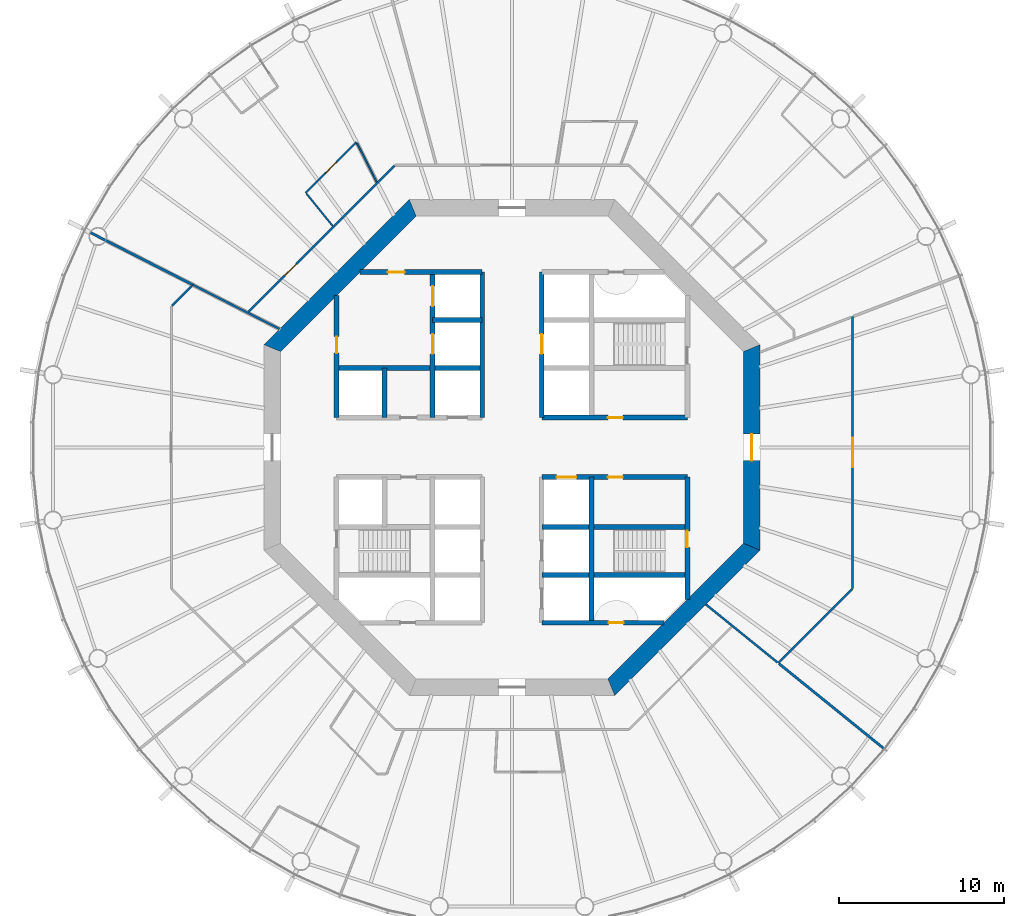
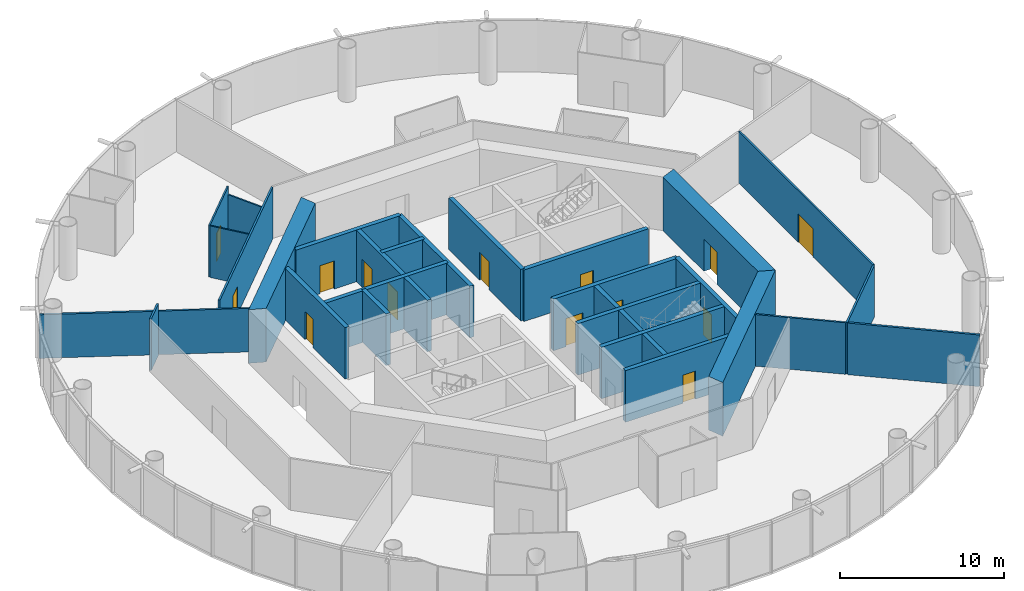
# One storey, part 4 of 12: 29 walls, 14 doors, 14 openings.
"""IFC4 building model written with IfcOpenShell, lengths in metres."""

from ifc_helpers import new_model, si_unit, direction, frame, frame_2d, origin, place, context, subcontext, project, spatial, polyline, rectangle, outline, extrude, material, layer, layer_set, type_object, element, fill, save


model = new_model("IFC4")

# Units and contexts
model_context = context("Model", 3, precision=1e-05, world=origin(), true_north=direction((0.0, 1.0)))
body_context = subcontext(model_context, "Body", "Model", "MODEL_VIEW")
ifc_project = project(units=[si_unit("LENGTHUNIT", "METRE"), si_unit("AREAUNIT", "SQUARE_METRE"), si_unit("VOLUMEUNIT", "CUBIC_METRE"), si_unit("PLANEANGLEUNIT", "RADIAN"), si_unit("MASSUNIT", "GRAM", prefix="KILO")], contexts=[model_context])

# Site, building, storey
site_placement = place(None, origin())
site = spatial("IfcSite", under=ifc_project, at=site_placement, CompositionType="ELEMENT")
building_placement = place(site_placement, origin())
building = spatial("IfcBuilding", under=site, at=building_placement, Name="Entoto Ring Tower", CompositionType="ELEMENT")
storey_placement = place(building_placement, frame((0.0, 0.0, 196.0)))
storey = spatial("IfcBuildingStorey", under=building, at=storey_placement, Name="L45", CompositionType="ELEMENT", Elevation=196.0)

# Wall, opening, door
ifc_material_1 = material(Name="Concrete C40/50", Category="concrete")
ifc_layer_1 = layer(ifc_material_1, 0.300048828125)
ifc_layer_set_1 = layer_set([ifc_layer_1], Name="Concrete C40/50")
wall_type_1 = type_object("IfcWallType", Name="Core enclosure wall 300 mm reinforced concrete", PredefinedType="SOLIDWALL", material=ifc_layer_set_1)
wall_1_placement = place(storey_placement, frame((100.60009765625, 70.801025390625, 0.0), z_axis=(0.0, 0.0, 1.0), x_axis=(0.0, 1.0, 0.0)))
wall_1 = element("IfcWall", 1, at=wall_1_placement, inside=storey, type_object=wall_type_1, Name="wall-L45-001", PredefinedType="SOLIDWALL", context=body_context, shape_type="SweptSolid", body=[
    extrude(rectangle(XDim=7.39892578125, YDim=0.300048828125, at=frame_2d((3.699462890625, 0.0))), origin(), (0.0, 0.0, 1.0), 3.85009765625),
])
opening_1_placement = place(wall_1_placement, frame((3.14892578125, 0.0, 0.0)))
opening_1 = element("IfcOpeningElement", 2, at=opening_1_placement, cuts=wall_1, Name="Opening K-17", PredefinedType="OPENING", context=body_context, shape_type="SweptSolid", body=[
    extrude(rectangle(XDim=1.0, YDim=2.10009765625, at=frame_2d((0.5, 1.050048828125))), frame((0.0, 0.16015625, 0.0), z_axis=(0.0, -1.0, 0.0), x_axis=(1.0, 0.0, 0.0)), (0.0, 0.0, 1.0), 0.320068359375),
])
ifc_material_2 = material(Name="Steel door leaf, fire rated", Category="steel")
ifc_layer_2 = layer(ifc_material_2, 0.050048828125)
ifc_layer_set_2 = layer_set([ifc_layer_2], Name="Steel door leaf, fire rated")
door_type_1 = type_object("IfcDoorType", Name="Fire door FD60 1000 x 2100 single leaf", OperationType="NOTDEFINED", PredefinedType="DOOR", material=ifc_layer_set_2)
door_1_placement = place(opening_1_placement, origin())
door_1 = element("IfcDoor", 3, at=door_1_placement, inside=storey, type_object=door_type_1, Name="Door K-17", OperationType="SINGLE_SWING_RIGHT", OverallHeight=2.10009765625, OverallWidth=1.0, PredefinedType="DOOR", context=body_context, shape_type="SweptSolid", body=[
    extrude(rectangle(XDim=1.0, YDim=2.10009765625, at=frame_2d((0.5, 1.050048828125))), frame((0.0, 0.02490234375, 0.0), z_axis=(0.0, -1.0, 0.0), x_axis=(1.0, 0.0, 0.0)), (0.0, 0.0, 1.0), 0.050048828125),
])
fill(opening_1, door_1)

# Wall
wall_2_placement = place(storey_placement, frame((94.800048828125, 69.39990234375, 0.0), z_axis=(0.0, 0.0, 1.0), x_axis=(0.0, 1.0, 0.0)))
element("IfcWall", 4, at=wall_2_placement, inside=storey, type_object=wall_type_1, Name="wall-L45-003", PredefinedType="SOLIDWALL", context=body_context, shape_type="SweptSolid", body=[
    extrude(rectangle(XDim=8.800048828125, YDim=0.300048828125, at=frame_2d((4.39990234375, 0.0))), origin(), (0.0, 0.0, 1.0), 3.85009765625),
])

# Wall, opening, door
wall_3_placement = place(storey_placement, frame((91.800048828125, 81.800048828125, 0.0), z_axis=(0.0, 0.0, 1.0), x_axis=(0.0, 1.0, 0.0)))
wall_3 = element("IfcWall", 5, at=wall_3_placement, inside=storey, type_object=wall_type_1, Name="wall-L45-006", PredefinedType="SOLIDWALL", context=body_context, shape_type="SweptSolid", body=[
    extrude(rectangle(XDim=8.800048828125, YDim=0.300048828125, at=frame_2d((4.39990234375, 0.0))), origin(), (0.0, 0.0, 1.0), 3.85009765625),
])
opening_2_placement = place(wall_3_placement, frame((3.85009765625, 0.0, 0.0)))
opening_2 = element("IfcOpeningElement", 6, at=opening_2_placement, cuts=wall_3, Name="Opening LD", PredefinedType="OPENING", context=body_context, shape_type="SweptSolid", body=[
    extrude(rectangle(XDim=1.199951171875, YDim=2.10009765625, at=frame_2d((0.60009765625, 1.050048828125))), frame((0.0, 0.16015625, 0.0), z_axis=(0.0, -1.0, 0.0), x_axis=(1.0, 0.0, 0.0)), (0.0, 0.0, 1.0), 0.320068359375),
])
ifc_material_3 = material(Name="Steel and glass door leaf", Category="steel")
ifc_layer_3 = layer(ifc_material_3, 0.050048828125)
ifc_layer_set_3 = layer_set([ifc_layer_3], Name="Steel and glass door leaf")
door_type_2 = type_object("IfcDoorType", Name="Landing door 1200 x 2100 sliding", OperationType="DOUBLE_DOOR_SLIDING", PredefinedType="DOOR", material=ifc_layer_set_3)
door_2_placement = place(opening_2_placement, origin())
door_2 = element("IfcDoor", 7, at=door_2_placement, inside=storey, type_object=door_type_2, Name="Landing door LB1-MR", OperationType="SLIDING_TO_RIGHT", OverallHeight=2.10009765625, OverallWidth=1.199951171875, PredefinedType="DOOR", context=body_context, shape_type="SweptSolid", body=[
    extrude(rectangle(XDim=1.199951171875, YDim=2.10009765625, at=frame_2d((0.60009765625, 1.050048828125))), frame((0.0, 0.02490234375, 0.0), z_axis=(0.0, -1.0, 0.0), x_axis=(1.0, 0.0, 0.0)), (0.0, 0.0, 1.0), 0.050048828125),
])
fill(opening_2, door_2)

# Wall
wall_4_placement = place(storey_placement, frame((88.199951171875, 81.800048828125, 0.0), z_axis=(0.0, 0.0, 1.0), x_axis=(0.0, 1.0, 0.0)))
element("IfcWall", 8, at=wall_4_placement, inside=storey, type_object=wall_type_1, Name="wall-L45-008", PredefinedType="SOLIDWALL", context=body_context, shape_type="SweptSolid", body=[
    extrude(rectangle(XDim=8.800048828125, YDim=0.300048828125, at=frame_2d((4.39990234375, 0.0))), origin(), (0.0, 0.0, 1.0), 3.85009765625),
])

# Wall, openings, doors
wall_5_placement = place(storey_placement, frame((85.199951171875, 81.800048828125, 0.0), z_axis=(0.0, 0.0, 1.0), x_axis=(0.0, 1.0, 0.0)))
wall_5 = element("IfcWall", 9, at=wall_5_placement, inside=storey, type_object=wall_type_1, Name="wall-L45-010", PredefinedType="SOLIDWALL", context=body_context, shape_type="SweptSolid", body=[
    extrude(rectangle(XDim=8.800048828125, YDim=0.300048828125, at=frame_2d((4.39990234375, 0.0))), origin(), (0.0, 0.0, 1.0), 3.85009765625),
])
opening_3_placement = place(wall_5_placement, frame((3.85009765625, 0.0, 0.0)))
opening_3 = element("IfcOpeningElement", 10, at=opening_3_placement, cuts=wall_5, Name="Opening LD", PredefinedType="OPENING", context=body_context, shape_type="SweptSolid", body=[
    extrude(rectangle(XDim=1.199951171875, YDim=2.10009765625, at=frame_2d((0.60009765625, 1.050048828125))), frame((0.0, 0.16015625, 0.0), z_axis=(0.0, -1.0, 0.0), x_axis=(1.0, 0.0, 0.0)), (0.0, 0.0, 1.0), 0.320068359375),
])
opening_4_placement = place(wall_5_placement, frame((6.75, 0.0, 0.0)))
opening_4 = element("IfcOpeningElement", 11, at=opening_4_placement, cuts=wall_5, Name="Opening LD", PredefinedType="OPENING", context=body_context, shape_type="SweptSolid", body=[
    extrude(rectangle(XDim=1.199951171875, YDim=2.10009765625, at=frame_2d((0.60009765625, 1.050048828125))), frame((0.0, 0.16015625, 0.0), z_axis=(0.0, -1.0, 0.0), x_axis=(1.0, 0.0, 0.0)), (0.0, 0.0, 1.0), 0.320068359375),
])
door_3_placement = place(opening_3_placement, origin())
door_3 = element("IfcDoor", 12, at=door_3_placement, inside=storey, type_object=door_type_2, Name="Landing door FF1", OperationType="SLIDING_TO_RIGHT", OverallHeight=2.10009765625, OverallWidth=1.199951171875, PredefinedType="DOOR", context=body_context, shape_type="SweptSolid", body=[
    extrude(rectangle(XDim=1.199951171875, YDim=2.10009765625, at=frame_2d((0.60009765625, 1.050048828125))), frame((0.0, 0.02490234375, 0.0), z_axis=(0.0, -1.0, 0.0), x_axis=(1.0, 0.0, 0.0)), (0.0, 0.0, 1.0), 0.050048828125),
])
fill(opening_3, door_3)
door_4_placement = place(opening_4_placement, origin())
door_4 = element("IfcDoor", 13, at=door_4_placement, inside=storey, type_object=door_type_2, Name="Landing door FF2", OperationType="SLIDING_TO_RIGHT", OverallHeight=2.10009765625, OverallWidth=1.199951171875, PredefinedType="DOOR", context=body_context, shape_type="SweptSolid", body=[
    extrude(rectangle(XDim=1.199951171875, YDim=2.10009765625, at=frame_2d((0.60009765625, 1.050048828125))), frame((0.0, 0.02490234375, 0.0), z_axis=(0.0, -1.0, 0.0), x_axis=(1.0, 0.0, 0.0)), (0.0, 0.0, 1.0), 0.050048828125),
])
fill(opening_4, door_4)

# Wall
wall_6_placement = place(storey_placement, frame((82.300048828125, 81.800048828125, 0.0), z_axis=(0.0, 0.0, 1.0), x_axis=(0.0, 1.0, 0.0)))
element("IfcWall", 14, at=wall_6_placement, inside=storey, type_object=wall_type_1, Name="wall-L45-012", PredefinedType="SOLIDWALL", context=body_context, shape_type="SweptSolid", body=[
    extrude(rectangle(XDim=3.0, YDim=0.300048828125, at=frame_2d((1.5, 0.0))), origin(), (0.0, 0.0, 1.0), 3.85009765625),
])

# Wall, opening, door
wall_7_placement = place(storey_placement, frame((79.39990234375, 81.800048828125, 0.0), z_axis=(0.0, 0.0, 1.0), x_axis=(0.0, 1.0, 0.0)))
wall_7 = element("IfcWall", 15, at=wall_7_placement, inside=storey, type_object=wall_type_1, Name="wall-L45-014", PredefinedType="SOLIDWALL", context=body_context, shape_type="SweptSolid", body=[
    extrude(rectangle(XDim=7.39892578125, YDim=0.300048828125, at=frame_2d((3.699462890625, 0.0))), origin(), (0.0, 0.0, 1.0), 3.85009765625),
])
opening_5_placement = place(wall_7_placement, frame((3.89990234375, 0.0, 0.0)))
opening_5 = element("IfcOpeningElement", 16, at=opening_5_placement, cuts=wall_7, Name="Opening K-67", PredefinedType="OPENING", context=body_context, shape_type="SweptSolid", body=[
    extrude(rectangle(XDim=1.0, YDim=2.10009765625, at=frame_2d((0.5, 1.050048828125))), frame((0.0, 0.16015625, 0.0), z_axis=(0.0, -1.0, 0.0), x_axis=(1.0, 0.0, 0.0)), (0.0, 0.0, 1.0), 0.320068359375),
])
door_5_placement = place(opening_5_placement, frame((1.0, 0.0, 0.0), z_axis=(0.0, 0.0, 1.0), x_axis=(-1.0, 0.0, 0.0)))
door_5 = element("IfcDoor", 17, at=door_5_placement, inside=storey, type_object=door_type_1, Name="Door K-67", OperationType="SINGLE_SWING_RIGHT", OverallHeight=2.10009765625, OverallWidth=1.0, PredefinedType="DOOR", context=body_context, shape_type="SweptSolid", body=[
    extrude(rectangle(XDim=1.0, YDim=2.10009765625, at=frame_2d((0.5, 1.050048828125))), frame((0.0, 0.02490234375, 0.0), z_axis=(0.0, -1.0, 0.0), x_axis=(1.0, 0.0, 0.0)), (0.0, 0.0, 1.0), 0.050048828125),
])
fill(opening_5, door_5)

wall_8_placement = place(storey_placement, frame((91.800048828125, 69.39990234375, 0.0), z_axis=(0.0, 0.0, 1.0), x_axis=(1.0, 0.0, 0.0)))
wall_8 = element("IfcWall", 18, at=wall_8_placement, inside=storey, type_object=wall_type_1, Name="wall-L45-016", PredefinedType="SOLIDWALL", context=body_context, shape_type="SweptSolid", body=[
    extrude(rectangle(XDim=7.39892578125, YDim=0.300048828125, at=frame_2d((3.699462890625, 0.0))), origin(), (0.0, 0.0, 1.0), 3.85009765625),
])
opening_6_placement = place(wall_8_placement, frame((4.050048828125, 0.0, 0.0)))
opening_6 = element("IfcOpeningElement", 19, at=opening_6_placement, cuts=wall_8, Name="Opening K-20", PredefinedType="OPENING", context=body_context, shape_type="SweptSolid", body=[
    extrude(rectangle(XDim=0.89990234375, YDim=2.10009765625, at=frame_2d((0.449951171875, 1.050048828125))), frame((0.0, 0.16015625, 0.0), z_axis=(0.0, -1.0, 0.0), x_axis=(1.0, 0.0, 0.0)), (0.0, 0.0, 1.0), 0.320068359375),
])
ifc_material_4 = material(Name="Steel door leaf, fire rated", Category="steel")
ifc_layer_4 = layer(ifc_material_4, 0.050048828125)
ifc_layer_set_4 = layer_set([ifc_layer_4], Name="Steel door leaf, fire rated")
door_type_3 = type_object("IfcDoorType", Name="Riser door FD60 900 x 2100 single leaf", OperationType="NOTDEFINED", PredefinedType="DOOR", material=ifc_layer_set_4)
door_6_placement = place(opening_6_placement, origin())
door_6 = element("IfcDoor", 20, at=door_6_placement, inside=storey, type_object=door_type_3, Name="Door K-20", OperationType="SINGLE_SWING_LEFT", OverallHeight=2.10009765625, OverallWidth=0.89990234375, PredefinedType="DOOR", context=body_context, shape_type="SweptSolid", body=[
    extrude(rectangle(XDim=0.89990234375, YDim=2.10009765625, at=frame_2d((0.449951171875, 1.050048828125))), frame((0.0, 0.02490234375, 0.0), z_axis=(0.0, -1.0, 0.0), x_axis=(1.0, 0.0, 0.0)), (0.0, 0.0, 1.0), 0.050048828125),
])
fill(opening_6, door_6)

# Walls
for number, where, z_axis, x_axis, name in (
    (21, (91.800048828125, 72.300048828125, 0.0), (0.0, 0.0, 1.0), (1.0, 0.0, 0.0), "wall-L45-018"),
    (22, (91.800048828125, 75.199951171875, 0.0), (0.0, 0.0, 1.0), (1.0, 0.0, 0.0), "wall-L45-020"),
):
    element("IfcWall", number, at=place(storey_placement, frame(where, z_axis=z_axis, x_axis=x_axis)), inside=storey, type_object=wall_type_1, Name=name, PredefinedType="SOLIDWALL", context=body_context, shape_type="SweptSolid", body=[
        extrude(rectangle(XDim=8.800048828125, YDim=0.300048828125, at=frame_2d((4.39990234375, 0.0))), origin(), (0.0, 0.0, 1.0), 3.85009765625),
    ])

# Wall, openings, doors
wall_9_placement = place(storey_placement, frame((91.800048828125, 78.199951171875, 0.0), z_axis=(0.0, 0.0, 1.0), x_axis=(1.0, 0.0, 0.0)))
wall_9 = element("IfcWall", 23, at=wall_9_placement, inside=storey, type_object=wall_type_1, Name="wall-L45-022", PredefinedType="SOLIDWALL", context=body_context, shape_type="SweptSolid", body=[
    extrude(rectangle(XDim=8.800048828125, YDim=0.300048828125, at=frame_2d((4.39990234375, 0.0))), origin(), (0.0, 0.0, 1.0), 3.85009765625),
])
opening_7_placement = place(wall_9_placement, frame((0.89990234375, 0.0, 0.0)))
opening_7 = element("IfcOpeningElement", 24, at=opening_7_placement, cuts=wall_9, Name="Opening LD", PredefinedType="OPENING", context=body_context, shape_type="SweptSolid", body=[
    extrude(rectangle(XDim=1.199951171875, YDim=2.10009765625, at=frame_2d((0.60009765625, 1.050048828125))), frame((0.0, 0.16015625, 0.0), z_axis=(0.0, -1.0, 0.0), x_axis=(1.0, 0.0, 0.0)), (0.0, 0.0, 1.0), 0.320068359375),
])
opening_8_placement = place(wall_9_placement, frame((4.0, 0.0, 0.0)))
opening_8 = element("IfcOpeningElement", 25, at=opening_8_placement, cuts=wall_9, Name="Opening K-12", PredefinedType="OPENING", context=body_context, shape_type="SweptSolid", body=[
    extrude(rectangle(XDim=0.89990234375, YDim=2.10009765625, at=frame_2d((0.449951171875, 1.050048828125))), frame((0.0, 0.16015625, 0.0), z_axis=(0.0, -1.0, 0.0), x_axis=(1.0, 0.0, 0.0)), (0.0, 0.0, 1.0), 0.320068359375),
])
ifc_material_5 = material(Name="Steel door leaf, fire rated", Category="steel")
ifc_layer_5 = layer(ifc_material_5, 0.050048828125)
ifc_layer_set_5 = layer_set([ifc_layer_5], Name="Steel door leaf, fire rated")
door_type_4 = type_object("IfcDoorType", Name="Core door 900 x 2100 single leaf", OperationType="NOTDEFINED", PredefinedType="DOOR", material=ifc_layer_set_5)
door_7_placement = place(opening_8_placement, frame((0.89990234375, 0.0, 0.0), z_axis=(0.0, 0.0, 1.0), x_axis=(-1.0, 0.0, 0.0)))
door_7 = element("IfcDoor", 26, at=door_7_placement, inside=storey, type_object=door_type_4, Name="Door K-12", OperationType="SINGLE_SWING_RIGHT", OverallHeight=2.10009765625, OverallWidth=0.89990234375, PredefinedType="DOOR", context=body_context, shape_type="SweptSolid", body=[
    extrude(rectangle(XDim=0.89990234375, YDim=2.10009765625, at=frame_2d((0.449951171875, 1.050048828125))), frame((0.0, 0.02490234375, 0.0), z_axis=(0.0, -1.0, 0.0), x_axis=(1.0, 0.0, 0.0)), (0.0, 0.0, 1.0), 0.050048828125),
])
fill(opening_8, door_7)
door_8_placement = place(opening_7_placement, origin())
door_8 = element("IfcDoor", 27, at=door_8_placement, inside=storey, type_object=door_type_2, Name="Landing door LB6-MR", OperationType="SLIDING_TO_LEFT", OverallHeight=2.10009765625, OverallWidth=1.199951171875, PredefinedType="DOOR", context=body_context, shape_type="SweptSolid", body=[
    extrude(rectangle(XDim=1.199951171875, YDim=2.10009765625, at=frame_2d((0.60009765625, 1.050048828125))), frame((0.0, 0.02490234375, 0.0), z_axis=(0.0, -1.0, 0.0), x_axis=(1.0, 0.0, 0.0)), (0.0, 0.0, 1.0), 0.050048828125),
])
fill(opening_7, door_8)

# Wall, opening, door
wall_10_placement = place(storey_placement, frame((91.800048828125, 81.800048828125, 0.0), z_axis=(0.0, 0.0, 1.0), x_axis=(1.0, 0.0, 0.0)))
wall_10 = element("IfcWall", 28, at=wall_10_placement, inside=storey, type_object=wall_type_1, Name="wall-L45-024", PredefinedType="SOLIDWALL", context=body_context, shape_type="SweptSolid", body=[
    extrude(rectangle(XDim=8.800048828125, YDim=0.300048828125, at=frame_2d((4.39990234375, 0.0))), origin(), (0.0, 0.0, 1.0), 3.85009765625),
])
opening_9_placement = place(wall_10_placement, frame((4.0, 0.0, 0.0)))
opening_9 = element("IfcOpeningElement", 29, at=opening_9_placement, cuts=wall_10, Name="Opening K-11", PredefinedType="OPENING", context=body_context, shape_type="SweptSolid", body=[
    extrude(rectangle(XDim=0.89990234375, YDim=2.10009765625, at=frame_2d((0.449951171875, 1.050048828125))), frame((0.0, 0.16015625, 0.0), z_axis=(0.0, -1.0, 0.0), x_axis=(1.0, 0.0, 0.0)), (0.0, 0.0, 1.0), 0.320068359375),
])
door_9_placement = place(opening_9_placement, origin())
door_9 = element("IfcDoor", 30, at=door_9_placement, inside=storey, type_object=door_type_4, Name="Door K-11", OperationType="SINGLE_SWING_LEFT", OverallHeight=2.10009765625, OverallWidth=0.89990234375, PredefinedType="DOOR", context=body_context, shape_type="SweptSolid", body=[
    extrude(rectangle(XDim=0.89990234375, YDim=2.10009765625, at=frame_2d((0.449951171875, 1.050048828125))), frame((0.0, 0.02490234375, 0.0), z_axis=(0.0, -1.0, 0.0), x_axis=(1.0, 0.0, 0.0)), (0.0, 0.0, 1.0), 0.050048828125),
])
fill(opening_9, door_9)

# Walls
wall_11_placement = place(storey_placement, frame((79.39990234375, 84.800048828125, 0.0), z_axis=(0.0, 0.0, 1.0), x_axis=(1.0, 0.0, 0.0)))
element("IfcWall", 31, at=wall_11_placement, inside=storey, type_object=wall_type_1, Name="wall-L45-025", PredefinedType="SOLIDWALL", context=body_context, shape_type="SweptSolid", body=[
    extrude(rectangle(XDim=8.800048828125, YDim=0.300048828125, at=frame_2d((4.39990234375, 0.0))), origin(), (0.0, 0.0, 1.0), 3.85009765625),
])
wall_12_placement = place(storey_placement, frame((85.199951171875, 87.699951171875, 0.0), z_axis=(0.0, 0.0, 1.0), x_axis=(1.0, 0.0, 0.0)))
element("IfcWall", 32, at=wall_12_placement, inside=storey, type_object=wall_type_1, Name="wall-L45-027", PredefinedType="SOLIDWALL", context=body_context, shape_type="SweptSolid", body=[
    extrude(rectangle(XDim=3.0, YDim=0.300048828125, at=frame_2d((1.5, 0.0))), origin(), (0.0, 0.0, 1.0), 3.85009765625),
])

# Wall, opening, door
wall_13_placement = place(storey_placement, frame((80.801025390625, 90.60009765625, 0.0), z_axis=(0.0, 0.0, 1.0), x_axis=(1.0, 0.0, 0.0)))
wall_13 = element("IfcWall", 33, at=wall_13_placement, inside=storey, type_object=wall_type_1, Name="wall-L45-029", PredefinedType="SOLIDWALL", context=body_context, shape_type="SweptSolid", body=[
    extrude(rectangle(XDim=7.39892578125, YDim=0.300048828125, at=frame_2d((3.699462890625, 0.0))), origin(), (0.0, 0.0, 1.0), 3.85009765625),
])
opening_10_placement = place(wall_13_placement, frame((1.698974609375, 0.0, 0.0)))
opening_10 = element("IfcOpeningElement", 34, at=opening_10_placement, cuts=wall_13, Name="Opening K-22", PredefinedType="OPENING", context=body_context, shape_type="SweptSolid", body=[
    extrude(rectangle(XDim=1.0, YDim=2.10009765625, at=frame_2d((0.5, 1.050048828125))), frame((0.0, 0.16015625, 0.0), z_axis=(0.0, -1.0, 0.0), x_axis=(1.0, 0.0, 0.0)), (0.0, 0.0, 1.0), 0.320068359375),
])
door_10_placement = place(opening_10_placement, frame((1.0, 0.0, 0.0), z_axis=(0.0, 0.0, 1.0), x_axis=(-1.0, 0.0, 0.0)))
door_10 = element("IfcDoor", 35, at=door_10_placement, inside=storey, type_object=door_type_1, Name="Door K-22", OperationType="SINGLE_SWING_LEFT", OverallHeight=2.10009765625, OverallWidth=1.0, PredefinedType="DOOR", context=body_context, shape_type="SweptSolid", body=[
    extrude(rectangle(XDim=1.0, YDim=2.10009765625, at=frame_2d((0.5, 1.050048828125))), frame((0.0, 0.02490234375, 0.0), z_axis=(0.0, -1.0, 0.0), x_axis=(1.0, 0.0, 0.0)), (0.0, 0.0, 1.0), 0.050048828125),
])
fill(opening_10, door_10)

ifc_material_6 = material(Name="Concrete C50/60", Category="concrete")
ifc_layer_6 = layer(ifc_material_6, 1.0)
ifc_layer_set_6 = layer_set([ifc_layer_6], Name="Concrete C50/60")
wall_type_2 = type_object("IfcWallType", Name="Core shear wall 1000 mm reinforced concrete C50/60", PredefinedType="SHEAR", material=ifc_layer_set_6)
wall_14_placement = place(storey_placement, frame((104.5, 73.993896484375, 0.0), z_axis=(0.0, 0.0, 1.0), x_axis=(0.0, 1.0, 0.0)))
wall_14 = element("IfcWall", 36, at=wall_14_placement, inside=storey, type_object=wall_type_2, Name="wall-L45-core-0", PredefinedType="SHEAR", context=body_context, shape_type="SweptSolid", body=[
    extrude(outline(polyline([(-0.20703125, -0.5), (12.21923828125, -0.5), (11.80517578125, 0.5), (0.20703125, 0.5), (-0.20703125, -0.5)])), origin(), (0.0, 0.0, 1.0), 4.0),
])
opening_11_placement = place(wall_14_placement, frame((5.2060546875, 0.0, 0.0)))
opening_11 = element("IfcOpeningElement", 37, at=opening_11_placement, cuts=wall_14, Name="Opening K-01", PredefinedType="OPENING", context=body_context, shape_type="SweptSolid", body=[
    extrude(rectangle(XDim=1.60009765625, YDim=2.39990234375, at=frame_2d((0.800048828125, 1.199951171875))), frame((0.0, 0.510009765625, 0.0), z_axis=(0.0, -1.0, 0.0), x_axis=(1.0, 0.0, 0.0)), (0.0, 0.0, 1.0), 1.02001953125),
])
ifc_material_7 = material(Name="Steel door leaf, fire rated", Category="steel")
ifc_layer_7 = layer(ifc_material_7, 0.050048828125)
ifc_layer_set_7 = layer_set([ifc_layer_7], Name="Steel door leaf, fire rated")
door_type_5 = type_object("IfcDoorType", Name="Entrance door FD60 1600 x 2400 double leaf", OperationType="DOUBLE_DOOR_SINGLE_SWING", PredefinedType="DOOR", material=ifc_layer_set_7)
door_11_placement = place(opening_11_placement, origin())
door_11 = element("IfcDoor", 38, at=door_11_placement, inside=storey, type_object=door_type_5, Name="Entrance door K-01", OperationType="DOUBLE_DOOR_SINGLE_SWING", OverallHeight=2.39990234375, OverallWidth=1.60009765625, PredefinedType="DOOR", context=body_context, shape_type="SweptSolid", body=[
    extrude(rectangle(XDim=1.60009765625, YDim=2.39990234375, at=frame_2d((0.800048828125, 1.199951171875))), frame((0.0, 0.02490234375, 0.0), z_axis=(0.0, -1.0, 0.0), x_axis=(1.0, 0.0, 0.0)), (0.0, 0.0, 1.0), 0.050048828125),
])
fill(opening_11, door_11)

# Walls
for number, where, z_axis, x_axis, name in (
    (39, (83.993896484375, 94.5, 0.0), (0.0, 0.0, 1.0), (-0.707106781187, -0.707106781187, 0.0), "wall-L45-core-3"),
    (40, (96.006103515625, 65.5, 0.0), (0.0, 0.0, 1.0), (0.707106781187, 0.707106781187, 0.0), "wall-L45-core-7"),
):
    element("IfcWall", number, at=place(storey_placement, frame(where, z_axis=z_axis, x_axis=x_axis)), inside=storey, type_object=wall_type_2, Name=name, PredefinedType="SHEAR", context=body_context, shape_type="SweptSolid", body=[
        extrude(outline(polyline([(-0.20703125, -0.5), (12.21923828125, -0.5), (11.80517578125, 0.5), (0.20703125, 0.5), (-0.20703125, -0.5)])), origin(), (0.0, 0.0, 1.0), 4.0),
    ])

# Wall, opening, door
ifc_material_8 = material(Name="Fire-resisting plasterboard on steel studs", Category="steel")
ifc_layer_8 = layer(ifc_material_8, 0.125)
ifc_layer_set_8 = layer_set([ifc_layer_8], Name="Fire-resisting plasterboard on steel studs")
wall_type_3 = type_object("IfcWallType", Name="Corridor wall 125 mm one-hour plasterboard on steel studs", PredefinedType="PARTITIONING", material=ifc_layer_set_8)
wall_15_placement = place(storey_placement, frame((110.60009765625, 71.46728515625, 0.0), z_axis=(0.0, 0.0, 1.0), x_axis=(0.0, 1.0, 0.0)))
wall_15 = element("IfcWall", 41, at=wall_15_placement, inside=storey, type_object=wall_type_3, Name="partition-L45-002", PredefinedType="PARTITIONING", context=body_context, shape_type="SweptSolid", body=[
    extrude(rectangle(XDim=16.4404296875, YDim=0.125, at=frame_2d((8.22021484375, 0.0))), origin(), (0.0, 0.0, 1.0), 3.85009765625),
])
opening_12_placement = place(wall_15_placement, frame((7.3203125, 0.0, 0.0)))
opening_12 = element("IfcOpeningElement", 42, at=opening_12_placement, cuts=wall_15, Name="Opening A19-D01", PredefinedType="OPENING", context=body_context, shape_type="SweptSolid", body=[
    extrude(rectangle(XDim=1.800048828125, YDim=2.10009765625, at=frame_2d((0.89990234375, 1.050048828125))), frame((0.0, 0.072509765625, 0.0), z_axis=(0.0, -1.0, 0.0), x_axis=(1.0, 0.0, 0.0)), (0.0, 0.0, 1.0), 0.14501953125),
])
ifc_material_9 = material(Name="Fire-resisting timber door set", Category="wood")
door_type_6 = type_object("IfcDoorType", Name="Door 1800 x 2100 double leaf FD30S fire door", OperationType="DOUBLE_DOOR_SINGLE_SWING", PredefinedType="DOOR", material=ifc_material_9)
door_12_placement = place(opening_12_placement, frame((1.800048828125, 0.0, 0.0), z_axis=(0.0, 0.0, 1.0), x_axis=(-1.0, 0.0, 0.0)))
door_12 = element("IfcDoor", 43, at=door_12_placement, inside=storey, type_object=door_type_6, Name="Door A19-D01", OperationType="DOUBLE_DOOR_SINGLE_SWING", OverallHeight=2.10009765625, OverallWidth=1.800048828125, PredefinedType="DOOR", context=body_context, shape_type="SweptSolid", body=[
    extrude(rectangle(XDim=1.800048828125, YDim=2.10009765625, at=frame_2d((0.89990234375, 1.050048828125))), frame((0.0, 0.02490234375, 0.0), z_axis=(0.0, -1.0, 0.0), x_axis=(1.0, 0.0, 0.0)), (0.0, 0.0, 1.0), 0.050048828125),
])
fill(opening_12, door_12)

wall_16_placement = place(storey_placement, frame((74.075439453125, 88.20556640625, 0.0), z_axis=(0.0, 0.0, 1.0), x_axis=(0.707106781187, 0.707106781187, 0.0)))
wall_16 = element("IfcWall", 44, at=wall_16_placement, inside=storey, type_object=wall_type_3, Name="partition-L45-006", PredefinedType="PARTITIONING", context=body_context, shape_type="SweptSolid", body=[
    extrude(rectangle(XDim=12.481689453125, YDim=0.125, at=frame_2d((6.24072265625, 0.0))), origin(), (0.0, 0.0, 1.0), 3.85009765625),
])
opening_13_placement = place(wall_16_placement, frame((3.082763671875, 0.0, 0.0)))
opening_13 = element("IfcOpeningElement", 45, at=opening_13_placement, cuts=wall_16, Name="Opening A19-D07", PredefinedType="OPENING", context=body_context, shape_type="SweptSolid", body=[
    extrude(rectangle(XDim=1.0, YDim=2.10009765625, at=frame_2d((0.5, 1.050048828125))), frame((0.0, 0.072509765625, 0.0), z_axis=(0.0, -1.0, 0.0), x_axis=(1.0, 0.0, 0.0)), (0.0, 0.0, 1.0), 0.14501953125),
])
ifc_material_10 = material(Name="Fire-resisting timber door set", Category="wood")
door_type_7 = type_object("IfcDoorType", Name="Door 1000 x 2100 single leaf FD30S fire door", OperationType="NOTDEFINED", PredefinedType="DOOR", material=ifc_material_10)
door_13_placement = place(opening_13_placement, origin())
door_13 = element("IfcDoor", 46, at=door_13_placement, inside=storey, type_object=door_type_7, Name="Door A19-D07", OperationType="SINGLE_SWING_RIGHT", OverallHeight=2.10009765625, OverallWidth=1.0, PredefinedType="DOOR", context=body_context, shape_type="SweptSolid", body=[
    extrude(rectangle(XDim=1.0, YDim=2.10009765625, at=frame_2d((0.5, 1.050048828125))), frame((0.0, 0.02490234375, 0.0), z_axis=(0.0, -1.0, 0.0), x_axis=(1.0, 0.0, 0.0)), (0.0, 0.0, 1.0), 0.050048828125),
])
fill(opening_13, door_13)

# Walls
wall_17_placement = place(storey_placement, frame((106.097412109375, 66.964599609375, 0.0), z_axis=(0.0, 0.0, 1.0), x_axis=(0.707106781187, 0.707106781187, 0.0)))
element("IfcWall", 47, at=wall_17_placement, inside=storey, type_object=wall_type_3, Name="partition-L45-010", PredefinedType="PARTITIONING", context=body_context, shape_type="SweptSolid", body=[
    extrude(rectangle(XDim=6.323486328125, YDim=0.125, at=frame_2d((3.16162109375, 0.0))), origin(), (0.0, 0.0, 1.0), 3.85009765625),
])
wall_18_placement = place(storey_placement, frame((106.049072265625, 67.003662109375, 0.0), z_axis=(0.0, 0.0, 1.0), x_axis=(-0.777129489168, 0.629340732089, 0.0)))
element("IfcWall", 48, at=wall_18_placement, inside=storey, type_object=wall_type_3, Name="partition-L45-014", PredefinedType="PARTITIONING", context=body_context, shape_type="SweptSolid", body=[
    extrude(rectangle(XDim=5.56884765625, YDim=0.125, at=frame_2d((2.784423828125, 0.0))), origin(), (0.0, 0.0, 1.0), 3.85009765625),
])
wall_19_placement = place(storey_placement, frame((69.43115234375, 88.56396484375, 0.0), z_axis=(0.0, 0.0, 1.0), x_axis=(0.707106781187, 0.707106781187, 0.0)))
element("IfcWall", 49, at=wall_19_placement, inside=storey, type_object=wall_type_3, Name="partition-L45-015", PredefinedType="PARTITIONING", context=body_context, shape_type="SweptSolid", body=[
    extrude(rectangle(XDim=1.6962890625, YDim=0.125, at=frame_2d((0.84814453125, 0.0))), origin(), (0.0, 0.0, 1.0), 3.85009765625),
])
ifc_material_11 = material(Name="Fire-resisting plasterboard on steel studs", Category="steel")
ifc_layer_9 = layer(ifc_material_11, 0.125)
ifc_layer_set_9 = layer_set([ifc_layer_9], Name="Fire-resisting plasterboard on steel studs")
wall_type_4 = type_object("IfcWallType", Name="Corridor wall 125 mm one-hour plasterboard on steel studs, 3250 mm high", PredefinedType="PARTITIONING", material=ifc_layer_set_9)
wall_20_placement = place(storey_placement, frame((75.947021484375, 87.160400390625, 0.0), z_axis=(0.0, 0.0, 1.0), x_axis=(-0.891009750901, 0.453984166905, 0.0)))
element("IfcWall", 50, at=wall_20_placement, inside=storey, type_object=wall_type_4, Name="partition-L45-012", PredefinedType="PARTITIONING", context=body_context, shape_type="SweptSolid", body=[
    extrude(rectangle(XDim=5.88818359375, YDim=0.125, at=frame_2d((2.944091796875, 0.0))), origin(), (0.0, 0.0, 1.0), 3.25),
])

# Wall, opening, door
ifc_material_12 = material(Name="Plasterboard on steel studs", Category="steel")
ifc_layer_10 = layer(ifc_material_12, 0.10009765625)
ifc_layer_set_10 = layer_set([ifc_layer_10], Name="Plasterboard on steel studs")
wall_type_5 = type_object("IfcWallType", Name="Partition 100 mm plasterboard on steel studs", PredefinedType="PARTITIONING", material=ifc_layer_set_10)
wall_21_placement = place(storey_placement, frame((77.532470703125, 95.39599609375, 0.0), z_axis=(0.0, 0.0, 1.0), x_axis=(0.707106781187, 0.707106781187, 0.0)))
wall_21 = element("IfcWall", 51, at=wall_21_placement, inside=storey, type_object=wall_type_5, Name="partition-L45-025", PredefinedType="PARTITIONING", context=body_context, shape_type="SweptSolid", body=[
    extrude(rectangle(XDim=4.3310546875, YDim=0.10009765625, at=frame_2d((2.16552734375, 0.0))), origin(), (0.0, 0.0, 1.0), 3.85009765625),
])
opening_14_placement = place(wall_21_placement, frame((1.715576171875, 0.0, 0.0)))
opening_14 = element("IfcOpeningElement", 52, at=opening_14_placement, cuts=wall_21, Name="Opening A19-D08", PredefinedType="OPENING", context=body_context, shape_type="SweptSolid", body=[
    extrude(rectangle(XDim=0.89990234375, YDim=2.10009765625, at=frame_2d((0.449951171875, 1.050048828125))), frame((0.0, 0.06005859375, 0.0), z_axis=(0.0, -1.0, 0.0), x_axis=(1.0, 0.0, 0.0)), (0.0, 0.0, 1.0), 0.1201171875),
])
ifc_material_13 = material(Name="Veneered timber door leaf in timber frame", Category="wood")
door_type_8 = type_object("IfcDoorType", Name="Door 900 x 2100 single leaf timber veneer", OperationType="NOTDEFINED", PredefinedType="DOOR", material=ifc_material_13)
door_14_placement = place(opening_14_placement, frame((0.89990234375, 0.0, 0.0), z_axis=(0.0, 0.0, 1.0), x_axis=(-1.0, 0.0, 0.0)))
door_14 = element("IfcDoor", 53, at=door_14_placement, inside=storey, type_object=door_type_8, Name="Door A19-D08", OperationType="SINGLE_SWING_LEFT", OverallHeight=2.10009765625, OverallWidth=0.89990234375, PredefinedType="DOOR", context=body_context, shape_type="SweptSolid", body=[
    extrude(rectangle(XDim=0.89990234375, YDim=2.10009765625, at=frame_2d((0.449951171875, 1.050048828125))), frame((0.0, 0.02490234375, 0.0), z_axis=(0.0, -1.0, 0.0), x_axis=(1.0, 0.0, 0.0)), (0.0, 0.0, 1.0), 0.050048828125),
])
fill(opening_14, door_14)

# Walls
wall_22_placement = place(storey_placement, frame((79.16015625, 93.385986328125, 0.0), z_axis=(0.0, 0.0, 1.0), x_axis=(-0.629320038342, 0.777146247074, 0.0)))
element("IfcWall", 54, at=wall_22_placement, inside=storey, type_object=wall_type_5, Name="partition-L45-041", PredefinedType="PARTITIONING", context=body_context, shape_type="SweptSolid", body=[
    extrude(rectangle(XDim=2.536865234375, YDim=0.10009765625, at=frame_2d((1.2685546875, 0.0))), origin(), (0.0, 0.0, 1.0), 3.85009765625),
])
ifc_material_14 = material(Name="Plasterboard on steel studs", Category="steel")
ifc_layer_11 = layer(ifc_material_14, 0.10009765625)
ifc_layer_set_11 = layer_set([ifc_layer_11], Name="Plasterboard on steel studs")
wall_type_6 = type_object("IfcWallType", Name="Partition 100 mm plasterboard on steel studs, 3250 mm high", PredefinedType="PARTITIONING", material=ifc_layer_set_11)
wall_23_placement = place(storey_placement, frame((81.818115234375, 96.05810546875, 0.0), z_axis=(0.0, 0.0, 1.0), x_axis=(-0.454007972663, 0.890997621074, 0.0)))
element("IfcWall", 55, at=wall_23_placement, inside=storey, type_object=wall_type_6, Name="partition-L45-037", PredefinedType="PARTITIONING", context=body_context, shape_type="SweptSolid", body=[
    extrude(rectangle(XDim=2.625244140625, YDim=0.10009765625, at=frame_2d((1.3125, 0.0))), origin(), (0.0, 0.0, 1.0), 3.25),
])
ifc_material_15 = material(Name="Fire-resisting acoustic plasterboard on steel studs", Category="steel")
ifc_layer_12 = layer(ifc_material_15, 0.14990234375)
ifc_layer_set_12 = layer_set([ifc_layer_12], Name="Fire-resisting acoustic plasterboard on steel studs")
wall_type_7 = type_object("IfcWallType", Name="Party wall 150 mm one-hour acoustic plasterboard on steel studs", PredefinedType="PARTITIONING", material=ifc_layer_set_12)
wall_24_placement = place(storey_placement, frame((112.490478515625, 61.78759765625, 0.0), z_axis=(0.0, 0.0, 1.0), x_axis=(-0.777143081467, 0.629323947524, 0.0)))
element("IfcWall", 56, at=wall_24_placement, inside=storey, type_object=wall_type_7, Name="partition-L45-019", PredefinedType="PARTITIONING", context=body_context, shape_type="SweptSolid", body=[
    extrude(rectangle(XDim=8.15576171875, YDim=0.14990234375, at=frame_2d((4.077880859375, 0.0))), origin(), (0.0, 0.0, 1.0), 3.85009765625),
])
ifc_material_16 = material(Name="Fire-resisting acoustic plasterboard on steel studs", Category="steel")
ifc_layer_13 = layer(ifc_material_16, 0.14990234375)
ifc_layer_set_13 = layer_set([ifc_layer_13], Name="Fire-resisting acoustic plasterboard on steel studs")
wall_type_8 = type_object("IfcWallType", Name="Party wall 150 mm one-hour acoustic plasterboard on steel studs, 3250 mm high", PredefinedType="PARTITIONING", material=ifc_layer_set_13)
wall_25_placement = place(storey_placement, frame((70.70068359375, 89.83349609375, 0.0), z_axis=(0.0, 0.0, 1.0), x_axis=(-0.891007502863, 0.453988578977, 0.0)))
element("IfcWall", 57, at=wall_25_placement, inside=storey, type_object=wall_type_8, Name="partition-L45-020", PredefinedType="PARTITIONING", context=body_context, shape_type="SweptSolid", body=[
    extrude(rectangle(XDim=7.27978515625, YDim=0.14990234375, at=frame_2d((3.639892578125, 0.0))), origin(), (0.0, 0.0, 1.0), 3.25),
])

save(model, "model.ifc")
